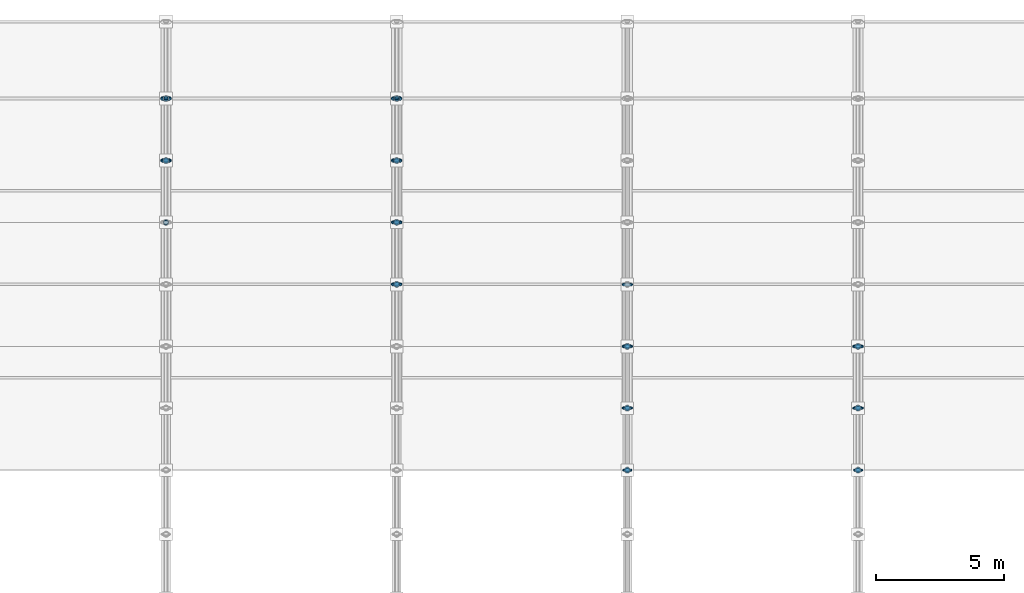
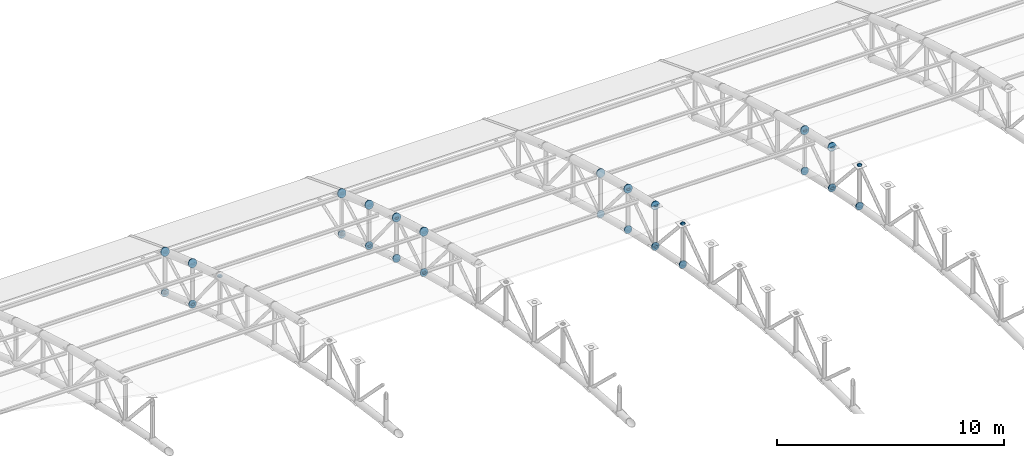
# One storey, part 159 of 195: 92 discrete accessories.
"""IFC4 building model written with IfcOpenShell, lengths in metres."""

from ifc_helpers import new_model, si_unit, direction, frame, origin, origin_2d, place, context, subcontext, project, spatial, circle, extrude, material, element, save


model = new_model("IFC4")

# Units and contexts
model_context = context("Model", 3, precision=1e-05, world=origin(), true_north=direction((0.0, 1.0)))
body_context = subcontext(model_context, "Body", "Model", "MODEL_VIEW")
ifc_project = project(units=[si_unit("LENGTHUNIT", "METRE"), si_unit("AREAUNIT", "SQUARE_METRE"), si_unit("VOLUMEUNIT", "CUBIC_METRE"), si_unit("PLANEANGLEUNIT", "RADIAN"), si_unit("MASSUNIT", "GRAM", prefix="KILO")], contexts=[model_context])

# Site, building, storey
site_placement = place(None, origin())
site = spatial("IfcSite", under=ifc_project, at=site_placement, CompositionType="ELEMENT")
building_placement = place(site_placement, origin())
building = spatial("IfcBuilding", under=site, at=building_placement, Name="Marlcrest Central Station", CompositionType="ELEMENT")
storey_placement = place(building_placement, frame((0.0, 0.0, 9.800048828125)))
storey = spatial("IfcBuildingStorey", under=building, at=storey_placement, Name="L02", CompositionType="ELEMENT", Elevation=9.800048828125)

# Discrete accessories
ifc_material = material(Name="Steel S355", Category="steel")
discrete_accessory_1_placement = place(storey_placement, frame((162.0, 93.056396484375, 2.45703125), z_axis=(0.0, 0.952116828449, -0.305734435391), x_axis=(-1.0, 0.0, 0.0)))
element("IfcDiscreteAccessory", 1, at=discrete_accessory_1_placement, inside=storey, material=ifc_material, Name="endcap-mem-AC-01-L02-01412-e", ObjectType="END_CAP_PLATE", PredefinedType="BRACKET", context=body_context, shape_type="SweptSolid", body=[
    extrude(circle(Radius=0.211181640625, at=origin_2d()), origin(), (0.0, 0.0, 1.0), 0.0400390625),
])
discrete_accessory_2_placement = place(storey_placement, frame((162.0, 93.056396484375, 0.257080078125), z_axis=(0.0, 0.952116828449, -0.305734435391), x_axis=(-1.0, 0.0, 0.0)))
element("IfcDiscreteAccessory", 2, at=discrete_accessory_2_placement, inside=storey, material=ifc_material, Name="endcap-mem-AC-02-L02-01413-e", ObjectType="END_CAP_PLATE", PredefinedType="BRACKET", context=body_context, shape_type="SweptSolid", body=[
    extrude(circle(Radius=0.185791015625, at=origin_2d()), origin(), (0.0, 0.0, 1.0), 0.0400390625),
])
discrete_accessory_3_placement = place(storey_placement, frame((162.0, 90.669921875, 3.198486328125), z_axis=(0.0, 0.0, 1.0), x_axis=(1.0, 0.0, 0.0)))
element("IfcDiscreteAccessory", 3, at=discrete_accessory_3_placement, inside=storey, material=ifc_material, Name="endcap-mem-AP-01-L02-01414-e", ObjectType="END_CAP_PLATE", PredefinedType="BRACKET", context=body_context, shape_type="SweptSolid", body=[
    extrude(circle(Radius=0.117431640625, at=origin_2d()), origin(), (0.0, 0.0, 1.0), 0.0400390625),
])
for number, where, z_axis, x_axis, name in (
    (4, (162.0, 90.660400390625, 3.235107421875), (0.0, 0.62962929743, -0.776895712318), (-1.0, 0.0, 0.0), "endcap-mem-AD-01-L02-01415-s"),
    (5, (162.0, 93.064453125, 0.26904296875), (0.0, 0.62962929743, -0.776895712318), (-1.0, 0.0, 0.0), "endcap-mem-AD-01-L02-01415-e"),
):
    element("IfcDiscreteAccessory", number, at=place(storey_placement, frame(where, z_axis=z_axis, x_axis=x_axis)), inside=storey, material=ifc_material, Name=name, ObjectType="END_CAP_PLATE", PredefinedType="BRACKET", context=body_context, shape_type="SweptSolid", body=[
        extrude(circle(Radius=0.092041015625, at=origin_2d()), origin(), (0.0, 0.0, 1.0), 0.0400390625),
    ])
for number, where, z_axis, x_axis, name in (
    (6, (162.0, 93.06591796875, 2.454345703125), (0.0, 0.94353735649, -0.331266142109), (-1.0, 0.0, 0.0), "endcap-mem-AC-01-L02-01416-s"),
    (7, (162.0, 95.476318359375, 1.608154296875), (0.0, 0.94353735649, -0.331266142109), (-1.0, 0.0, 0.0), "endcap-mem-AC-01-L02-01416-e"),
):
    element("IfcDiscreteAccessory", number, at=place(storey_placement, frame(where, z_axis=z_axis, x_axis=x_axis)), inside=storey, material=ifc_material, Name=name, ObjectType="END_CAP_PLATE", PredefinedType="BRACKET", context=body_context, shape_type="SweptSolid", body=[
        extrude(circle(Radius=0.211181640625, at=origin_2d()), origin(), (0.0, 0.0, 1.0), 0.0400390625),
    ])
for number, where, z_axis, x_axis, name in (
    (8, (162.0, 93.06591796875, 0.25439453125), (0.0, 0.94353735649, -0.331266142109), (-1.0, 0.0, 0.0), "endcap-mem-AC-02-L02-01417-s"),
    (9, (162.0, 95.476318359375, -0.591796875), (0.0, 0.94353735649, -0.331266142109), (-1.0, 0.0, 0.0), "endcap-mem-AC-02-L02-01417-e"),
):
    element("IfcDiscreteAccessory", number, at=place(storey_placement, frame(where, z_axis=z_axis, x_axis=x_axis)), inside=storey, material=ifc_material, Name=name, ObjectType="END_CAP_PLATE", PredefinedType="BRACKET", context=body_context, shape_type="SweptSolid", body=[
        extrude(circle(Radius=0.185791015625, at=origin_2d()), origin(), (0.0, 0.0, 1.0), 0.0400390625),
    ])
for number, where, z_axis, x_axis, name in (
    (10, (162.0, 93.080078125, 0.234619140625), (0.0, 0.0, 1.0), (1.0, 0.0, 0.0), "endcap-mem-AP-01-L02-01418-s"),
    (11, (162.0, 93.080078125, 2.424560546875), (0.0, 0.0, 1.0), (1.0, 0.0, 0.0), "endcap-mem-AP-01-L02-01418-e"),
):
    element("IfcDiscreteAccessory", number, at=place(storey_placement, frame(where, z_axis=z_axis, x_axis=x_axis)), inside=storey, material=ifc_material, Name=name, ObjectType="END_CAP_PLATE", PredefinedType="BRACKET", context=body_context, shape_type="SweptSolid", body=[
        extrude(circle(Radius=0.117431640625, at=origin_2d()), origin(), (0.0, 0.0, 1.0), 0.0400390625),
    ])
for number, where, z_axis, x_axis, name in (
    (12, (162.0, 93.06689453125, 0.2421875), (0.0, 0.873245653167, 0.487280236851), (-1.0, 0.0, 0.0), "endcap-mem-AD-01-L02-01419-s"),
    (13, (162.0, 95.478271484375, 1.587646484375), (0.0, 0.873245653167, 0.487280236851), (-1.0, 0.0, 0.0), "endcap-mem-AD-01-L02-01419-e"),
):
    element("IfcDiscreteAccessory", number, at=place(storey_placement, frame(where, z_axis=z_axis, x_axis=x_axis)), inside=storey, material=ifc_material, Name=name, ObjectType="END_CAP_PLATE", PredefinedType="BRACKET", context=body_context, shape_type="SweptSolid", body=[
        extrude(circle(Radius=0.092041015625, at=origin_2d()), origin(), (0.0, 0.0, 1.0), 0.0400390625),
    ])
discrete_accessory_4_placement = place(storey_placement, frame((162.0, 95.486083984375, 1.605224609375), z_axis=(0.0, 0.933324071143, -0.359035065453), x_axis=(-1.0, 0.0, 0.0)))
element("IfcDiscreteAccessory", 14, at=discrete_accessory_4_placement, inside=storey, material=ifc_material, Name="endcap-mem-AC-01-L02-01420-s", ObjectType="END_CAP_PLATE", PredefinedType="BRACKET", context=body_context, shape_type="SweptSolid", body=[
    extrude(circle(Radius=0.211181640625, at=origin_2d()), origin(), (0.0, 0.0, 1.0), 0.0400390625),
])
for number, where, z_axis, x_axis, name in (
    (15, (162.0, 95.5, -0.614990234375), (0.0, 0.0, 1.0), (1.0, 0.0, 0.0), "endcap-mem-AP-01-L02-01421-s"),
    (16, (162.0, 95.5, 1.574951171875), (0.0, 0.0, 1.0), (1.0, 0.0, 0.0), "endcap-mem-AP-01-L02-01421-e"),
):
    element("IfcDiscreteAccessory", number, at=place(storey_placement, frame(where, z_axis=z_axis, x_axis=x_axis)), inside=storey, material=ifc_material, Name=name, ObjectType="END_CAP_PLATE", PredefinedType="BRACKET", context=body_context, shape_type="SweptSolid", body=[
        extrude(circle(Radius=0.117431640625, at=origin_2d()), origin(), (0.0, 0.0, 1.0), 0.0400390625),
    ])
discrete_accessory_5_placement = place(storey_placement, frame((162.0, 95.48583984375, -0.60498046875), z_axis=(0.0, 0.944260188635, 0.329200085296), x_axis=(-1.0, 0.0, 0.0)))
element("IfcDiscreteAccessory", 17, at=discrete_accessory_5_placement, inside=storey, material=ifc_material, Name="endcap-mem-AD-01-L02-01422-s", ObjectType="END_CAP_PLATE", PredefinedType="BRACKET", context=body_context, shape_type="SweptSolid", body=[
    extrude(circle(Radius=0.092041015625, at=origin_2d()), origin(), (0.0, 0.0, 1.0), 0.0400390625),
])
discrete_accessory_6_placement = place(storey_placement, frame((171.0, 88.225830078125, 3.934326171875), z_axis=(0.0, 0.967539481681, -0.252719906989), x_axis=(-1.0, 0.0, 0.0)))
element("IfcDiscreteAccessory", 18, at=discrete_accessory_6_placement, inside=storey, material=ifc_material, Name="endcap-mem-AC-01-L02-01520-e", ObjectType="END_CAP_PLATE", PredefinedType="BRACKET", context=body_context, shape_type="SweptSolid", body=[
    extrude(circle(Radius=0.211181640625, at=origin_2d()), origin(), (0.0, 0.0, 1.0), 0.0400390625),
])
discrete_accessory_7_placement = place(storey_placement, frame((171.0, 88.225830078125, 1.734375), z_axis=(0.0, 0.967563345928, -0.252628524946), x_axis=(-1.0, 0.0, 0.0)))
element("IfcDiscreteAccessory", 19, at=discrete_accessory_7_placement, inside=storey, material=ifc_material, Name="endcap-mem-AC-02-L02-01521-e", ObjectType="END_CAP_PLATE", PredefinedType="BRACKET", context=body_context, shape_type="SweptSolid", body=[
    extrude(circle(Radius=0.185791015625, at=origin_2d()), origin(), (0.0, 0.0, 1.0), 0.0400390625),
])
discrete_accessory_8_placement = place(storey_placement, frame((171.0, 88.233642578125, 1.7470703125), z_axis=(0.0, 0.649624779144, -0.760254987699), x_axis=(-1.0, 0.0, 0.0)))
element("IfcDiscreteAccessory", 20, at=discrete_accessory_8_placement, inside=storey, material=ifc_material, Name="endcap-mem-AD-01-L02-01523-e", ObjectType="END_CAP_PLATE", PredefinedType="BRACKET", context=body_context, shape_type="SweptSolid", body=[
    extrude(circle(Radius=0.092041015625, at=origin_2d()), origin(), (0.0, 0.0, 1.0), 0.0400390625),
])
for number, where, z_axis, x_axis, name in (
    (21, (171.0, 88.235595703125, 3.93212890625), (0.0, 0.960130083362, -0.27955361386), (-1.0, 0.0, 0.0), "endcap-mem-AC-01-L02-01524-s"),
    (22, (171.0, 90.64599609375, 3.23046875), (0.0, 0.960130083362, -0.27955361386), (-1.0, 0.0, 0.0), "endcap-mem-AC-01-L02-01524-e"),
):
    element("IfcDiscreteAccessory", number, at=place(storey_placement, frame(where, z_axis=z_axis, x_axis=x_axis)), inside=storey, material=ifc_material, Name=name, ObjectType="END_CAP_PLATE", PredefinedType="BRACKET", context=body_context, shape_type="SweptSolid", body=[
        extrude(circle(Radius=0.211181640625, at=origin_2d()), origin(), (0.0, 0.0, 1.0), 0.0400390625),
    ])
for number, where, z_axis, x_axis, name in (
    (23, (171.0, 88.235595703125, 1.732177734375), (0.0, 0.960130083362, -0.27955361386), (-1.0, 0.0, 0.0), "endcap-mem-AC-02-L02-01525-s"),
    (24, (171.0, 90.64599609375, 1.030517578125), (0.0, 0.960130083362, -0.27955361386), (-1.0, 0.0, 0.0), "endcap-mem-AC-02-L02-01525-e"),
):
    element("IfcDiscreteAccessory", number, at=place(storey_placement, frame(where, z_axis=z_axis, x_axis=x_axis)), inside=storey, material=ifc_material, Name=name, ObjectType="END_CAP_PLATE", PredefinedType="BRACKET", context=body_context, shape_type="SweptSolid", body=[
        extrude(circle(Radius=0.185791015625, at=origin_2d()), origin(), (0.0, 0.0, 1.0), 0.0400390625),
    ])
for number, where, z_axis, x_axis, name in (
    (25, (171.0, 88.25, 1.713134765625), (0.0, 0.0, 1.0), (1.0, 0.0, 0.0), "endcap-mem-AP-01-L02-01526-s"),
    (26, (171.0, 88.25, 3.903076171875), (0.0, 0.0, 1.0), (1.0, 0.0, 0.0), "endcap-mem-AP-01-L02-01526-e"),
):
    element("IfcDiscreteAccessory", number, at=place(storey_placement, frame(where, z_axis=z_axis, x_axis=x_axis)), inside=storey, material=ifc_material, Name=name, ObjectType="END_CAP_PLATE", PredefinedType="BRACKET", context=body_context, shape_type="SweptSolid", body=[
        extrude(circle(Radius=0.117431640625, at=origin_2d()), origin(), (0.0, 0.0, 1.0), 0.0400390625),
    ])
for number, where, z_axis, x_axis, name in (
    (27, (171.0, 88.2373046875, 1.72021484375), (0.0, 0.850687380038, 0.525671933286), (-1.0, 0.0, 0.0), "endcap-mem-AD-01-L02-01527-s"),
    (28, (171.0, 90.648681640625, 3.210205078125), (0.0, 0.850687380038, 0.525671933286), (-1.0, 0.0, 0.0), "endcap-mem-AD-01-L02-01527-e"),
):
    element("IfcDiscreteAccessory", number, at=place(storey_placement, frame(where, z_axis=z_axis, x_axis=x_axis)), inside=storey, material=ifc_material, Name=name, ObjectType="END_CAP_PLATE", PredefinedType="BRACKET", context=body_context, shape_type="SweptSolid", body=[
        extrude(circle(Radius=0.092041015625, at=origin_2d()), origin(), (0.0, 0.0, 1.0), 0.0400390625),
    ])
for number, where, z_axis, x_axis, name in (
    (29, (171.0, 90.65576171875, 3.22802734375), (0.0, 0.952116828449, -0.305734435391), (-1.0, 0.0, 0.0), "endcap-mem-AC-01-L02-01528-s"),
    (30, (171.0, 93.056396484375, 2.45703125), (0.0, 0.952116828449, -0.305734435391), (-1.0, 0.0, 0.0), "endcap-mem-AC-01-L02-01528-e"),
):
    element("IfcDiscreteAccessory", number, at=place(storey_placement, frame(where, z_axis=z_axis, x_axis=x_axis)), inside=storey, material=ifc_material, Name=name, ObjectType="END_CAP_PLATE", PredefinedType="BRACKET", context=body_context, shape_type="SweptSolid", body=[
        extrude(circle(Radius=0.211181640625, at=origin_2d()), origin(), (0.0, 0.0, 1.0), 0.0400390625),
    ])
for number, where, z_axis, x_axis, name in (
    (31, (171.0, 90.65576171875, 1.028076171875), (0.0, 0.952116828449, -0.305734435391), (-1.0, 0.0, 0.0), "endcap-mem-AC-02-L02-01529-s"),
    (32, (171.0, 93.056396484375, 0.257080078125), (0.0, 0.952116828449, -0.305734435391), (-1.0, 0.0, 0.0), "endcap-mem-AC-02-L02-01529-e"),
):
    element("IfcDiscreteAccessory", number, at=place(storey_placement, frame(where, z_axis=z_axis, x_axis=x_axis)), inside=storey, material=ifc_material, Name=name, ObjectType="END_CAP_PLATE", PredefinedType="BRACKET", context=body_context, shape_type="SweptSolid", body=[
        extrude(circle(Radius=0.185791015625, at=origin_2d()), origin(), (0.0, 0.0, 1.0), 0.0400390625),
    ])
for number, where, z_axis, x_axis, name in (
    (33, (171.0, 90.669921875, 1.008544921875), (0.0, 0.0, 1.0), (1.0, 0.0, 0.0), "endcap-mem-AP-01-L02-01530-s"),
    (34, (171.0, 90.669921875, 3.198486328125), (0.0, 0.0, 1.0), (1.0, 0.0, 0.0), "endcap-mem-AP-01-L02-01530-e"),
):
    element("IfcDiscreteAccessory", number, at=place(storey_placement, frame(where, z_axis=z_axis, x_axis=x_axis)), inside=storey, material=ifc_material, Name=name, ObjectType="END_CAP_PLATE", PredefinedType="BRACKET", context=body_context, shape_type="SweptSolid", body=[
        extrude(circle(Radius=0.117431640625, at=origin_2d()), origin(), (0.0, 0.0, 1.0), 0.0400390625),
    ])
for number, where, z_axis, x_axis, name in (
    (35, (171.0, 90.660400390625, 3.235107421875), (0.0, 0.62962929743, -0.776895712318), (-1.0, 0.0, 0.0), "endcap-mem-AD-01-L02-01531-s"),
    (36, (171.0, 93.064453125, 0.26904296875), (0.0, 0.62962929743, -0.776895712318), (-1.0, 0.0, 0.0), "endcap-mem-AD-01-L02-01531-e"),
):
    element("IfcDiscreteAccessory", number, at=place(storey_placement, frame(where, z_axis=z_axis, x_axis=x_axis)), inside=storey, material=ifc_material, Name=name, ObjectType="END_CAP_PLATE", PredefinedType="BRACKET", context=body_context, shape_type="SweptSolid", body=[
        extrude(circle(Radius=0.092041015625, at=origin_2d()), origin(), (0.0, 0.0, 1.0), 0.0400390625),
    ])
for number, where, z_axis, x_axis, name in (
    (37, (171.0, 93.06591796875, 2.454345703125), (0.0, 0.94353735649, -0.331266142109), (-1.0, 0.0, 0.0), "endcap-mem-AC-01-L02-01532-s"),
    (38, (171.0, 95.476318359375, 1.608154296875), (0.0, 0.94353735649, -0.331266142109), (-1.0, 0.0, 0.0), "endcap-mem-AC-01-L02-01532-e"),
):
    element("IfcDiscreteAccessory", number, at=place(storey_placement, frame(where, z_axis=z_axis, x_axis=x_axis)), inside=storey, material=ifc_material, Name=name, ObjectType="END_CAP_PLATE", PredefinedType="BRACKET", context=body_context, shape_type="SweptSolid", body=[
        extrude(circle(Radius=0.211181640625, at=origin_2d()), origin(), (0.0, 0.0, 1.0), 0.0400390625),
    ])
for number, where, z_axis, x_axis, name in (
    (39, (171.0, 93.06591796875, 0.25439453125), (0.0, 0.94353735649, -0.331266142109), (-1.0, 0.0, 0.0), "endcap-mem-AC-02-L02-01533-s"),
    (40, (171.0, 95.476318359375, -0.591796875), (0.0, 0.94353735649, -0.331266142109), (-1.0, 0.0, 0.0), "endcap-mem-AC-02-L02-01533-e"),
):
    element("IfcDiscreteAccessory", number, at=place(storey_placement, frame(where, z_axis=z_axis, x_axis=x_axis)), inside=storey, material=ifc_material, Name=name, ObjectType="END_CAP_PLATE", PredefinedType="BRACKET", context=body_context, shape_type="SweptSolid", body=[
        extrude(circle(Radius=0.185791015625, at=origin_2d()), origin(), (0.0, 0.0, 1.0), 0.0400390625),
    ])
for number, where, z_axis, x_axis, name in (
    (41, (171.0, 93.080078125, 0.234619140625), (0.0, 0.0, 1.0), (1.0, 0.0, 0.0), "endcap-mem-AP-01-L02-01534-s"),
    (42, (171.0, 93.080078125, 2.424560546875), (0.0, 0.0, 1.0), (1.0, 0.0, 0.0), "endcap-mem-AP-01-L02-01534-e"),
):
    element("IfcDiscreteAccessory", number, at=place(storey_placement, frame(where, z_axis=z_axis, x_axis=x_axis)), inside=storey, material=ifc_material, Name=name, ObjectType="END_CAP_PLATE", PredefinedType="BRACKET", context=body_context, shape_type="SweptSolid", body=[
        extrude(circle(Radius=0.117431640625, at=origin_2d()), origin(), (0.0, 0.0, 1.0), 0.0400390625),
    ])
for number, where, z_axis, x_axis, name in (
    (43, (171.0, 93.06689453125, 0.2421875), (0.0, 0.873245653167, 0.487280236851), (-1.0, 0.0, 0.0), "endcap-mem-AD-01-L02-01535-s"),
    (44, (171.0, 95.478271484375, 1.587646484375), (0.0, 0.873245653167, 0.487280236851), (-1.0, 0.0, 0.0), "endcap-mem-AD-01-L02-01535-e"),
):
    element("IfcDiscreteAccessory", number, at=place(storey_placement, frame(where, z_axis=z_axis, x_axis=x_axis)), inside=storey, material=ifc_material, Name=name, ObjectType="END_CAP_PLATE", PredefinedType="BRACKET", context=body_context, shape_type="SweptSolid", body=[
        extrude(circle(Radius=0.092041015625, at=origin_2d()), origin(), (0.0, 0.0, 1.0), 0.0400390625),
    ])
discrete_accessory_9_placement = place(storey_placement, frame((171.0, 95.486083984375, 1.605224609375), z_axis=(0.0, 0.933324071143, -0.359035065453), x_axis=(-1.0, 0.0, 0.0)))
element("IfcDiscreteAccessory", 45, at=discrete_accessory_9_placement, inside=storey, material=ifc_material, Name="endcap-mem-AC-01-L02-01536-s", ObjectType="END_CAP_PLATE", PredefinedType="BRACKET", context=body_context, shape_type="SweptSolid", body=[
    extrude(circle(Radius=0.211181640625, at=origin_2d()), origin(), (0.0, 0.0, 1.0), 0.0400390625),
])
for number, where, z_axis, x_axis, name in (
    (46, (171.0, 95.5, -0.614990234375), (0.0, 0.0, 1.0), (1.0, 0.0, 0.0), "endcap-mem-AP-01-L02-01537-s"),
    (47, (171.0, 95.5, 1.574951171875), (0.0, 0.0, 1.0), (1.0, 0.0, 0.0), "endcap-mem-AP-01-L02-01537-e"),
):
    element("IfcDiscreteAccessory", number, at=place(storey_placement, frame(where, z_axis=z_axis, x_axis=x_axis)), inside=storey, material=ifc_material, Name=name, ObjectType="END_CAP_PLATE", PredefinedType="BRACKET", context=body_context, shape_type="SweptSolid", body=[
        extrude(circle(Radius=0.117431640625, at=origin_2d()), origin(), (0.0, 0.0, 1.0), 0.0400390625),
    ])
discrete_accessory_10_placement = place(storey_placement, frame((171.0, 95.48583984375, -0.60498046875), z_axis=(0.0, 0.944260188635, 0.329200085296), x_axis=(-1.0, 0.0, 0.0)))
element("IfcDiscreteAccessory", 48, at=discrete_accessory_10_placement, inside=storey, material=ifc_material, Name="endcap-mem-AD-01-L02-01538-s", ObjectType="END_CAP_PLATE", PredefinedType="BRACKET", context=body_context, shape_type="SweptSolid", body=[
    extrude(circle(Radius=0.092041015625, at=origin_2d()), origin(), (0.0, 0.0, 1.0), 0.0400390625),
])
discrete_accessory_11_placement = place(storey_placement, frame((180.0, 80.975341796875, 3.407958984375), z_axis=(0.0, 0.98574109921, -0.168269086076), x_axis=(-1.0, 0.0, 0.0)))
element("IfcDiscreteAccessory", 49, at=discrete_accessory_11_placement, inside=storey, material=ifc_material, Name="endcap-mem-AC-02-L02-01625-e", ObjectType="END_CAP_PLATE", PredefinedType="BRACKET", context=body_context, shape_type="SweptSolid", body=[
    extrude(circle(Radius=0.185791015625, at=origin_2d()), origin(), (0.0, 0.0, 1.0), 0.0400390625),
])
discrete_accessory_12_placement = place(storey_placement, frame((180.0, 80.9794921875, 5.58935546875), z_axis=(0.0, 0.815661132754, 0.57852996164), x_axis=(-1.0, 0.0, 0.0)))
element("IfcDiscreteAccessory", 50, at=discrete_accessory_12_placement, inside=storey, material=ifc_material, Name="endcap-mem-AD-01-L02-01627-e", ObjectType="END_CAP_PLATE", PredefinedType="BRACKET", context=body_context, shape_type="SweptSolid", body=[
    extrude(circle(Radius=0.092041015625, at=origin_2d()), origin(), (0.0, 0.0, 1.0), 0.0400390625),
])
for number, where, z_axis, x_axis, name in (
    (51, (180.0, 80.9853515625, 3.40673828125), (0.0, 0.980359417961, -0.197219196874), (-1.0, 0.0, 0.0), "endcap-mem-AC-02-L02-01629-s"),
    (52, (180.0, 83.3955078125, 2.921875), (0.0, 0.980359417961, -0.197219196874), (-1.0, 0.0, 0.0), "endcap-mem-AC-02-L02-01629-e"),
):
    element("IfcDiscreteAccessory", number, at=place(storey_placement, frame(where, z_axis=z_axis, x_axis=x_axis)), inside=storey, material=ifc_material, Name=name, ObjectType="END_CAP_PLATE", PredefinedType="BRACKET", context=body_context, shape_type="SweptSolid", body=[
        extrude(circle(Radius=0.185791015625, at=origin_2d()), origin(), (0.0, 0.0, 1.0), 0.0400390625),
    ])
for number, where, z_axis, x_axis, name in (
    (53, (180.0, 81.0, 3.388916015625), (0.0, 0.0, 1.0), (1.0, 0.0, 0.0), "endcap-mem-AP-01-L02-01630-s"),
    (54, (180.0, 81.0, 5.578857421875), (0.0, 0.0, 1.0), (1.0, 0.0, 0.0), "endcap-mem-AP-01-L02-01630-e"),
):
    element("IfcDiscreteAccessory", number, at=place(storey_placement, frame(where, z_axis=z_axis, x_axis=x_axis)), inside=storey, material=ifc_material, Name=name, ObjectType="END_CAP_PLATE", PredefinedType="BRACKET", context=body_context, shape_type="SweptSolid", body=[
        extrude(circle(Radius=0.117431640625, at=origin_2d()), origin(), (0.0, 0.0, 1.0), 0.0400390625),
    ])
for number, where, z_axis, x_axis, name in (
    (55, (180.0, 80.989990234375, 5.614990234375), (0.0, 0.669244457479, -0.743042297675), (-1.0, 0.0, 0.0), "endcap-mem-AD-01-L02-01631-s"),
    (56, (180.0, 83.403076171875, 2.935546875), (0.0, 0.669244457479, -0.743042297675), (-1.0, 0.0, 0.0), "endcap-mem-AD-01-L02-01631-e"),
):
    element("IfcDiscreteAccessory", number, at=place(storey_placement, frame(where, z_axis=z_axis, x_axis=x_axis)), inside=storey, material=ifc_material, Name=name, ObjectType="END_CAP_PLATE", PredefinedType="BRACKET", context=body_context, shape_type="SweptSolid", body=[
        extrude(circle(Radius=0.092041015625, at=origin_2d()), origin(), (0.0, 0.0, 1.0), 0.0400390625),
    ])
for number, where, z_axis, x_axis, name in (
    (57, (180.0, 83.4052734375, 5.120361328125), (0.0, 0.974329612642, -0.225126200004), (-1.0, 0.0, 0.0), "endcap-mem-AC-01-L02-01632-s"),
    (58, (180.0, 85.8056640625, 4.565673828125), (0.0, 0.974329612642, -0.225126200004), (-1.0, 0.0, 0.0), "endcap-mem-AC-01-L02-01632-e"),
):
    element("IfcDiscreteAccessory", number, at=place(storey_placement, frame(where, z_axis=z_axis, x_axis=x_axis)), inside=storey, material=ifc_material, Name=name, ObjectType="END_CAP_PLATE", PredefinedType="BRACKET", context=body_context, shape_type="SweptSolid", body=[
        extrude(circle(Radius=0.211181640625, at=origin_2d()), origin(), (0.0, 0.0, 1.0), 0.0400390625),
    ])
for number, where, z_axis, x_axis, name in (
    (59, (180.0, 83.4052734375, 2.92041015625), (0.0, 0.974307959875, -0.225219891049), (-1.0, 0.0, 0.0), "endcap-mem-AC-02-L02-01633-s"),
    (60, (180.0, 85.8056640625, 2.365478515625), (0.0, 0.974307959875, -0.225219891049), (-1.0, 0.0, 0.0), "endcap-mem-AC-02-L02-01633-e"),
):
    element("IfcDiscreteAccessory", number, at=place(storey_placement, frame(where, z_axis=z_axis, x_axis=x_axis)), inside=storey, material=ifc_material, Name=name, ObjectType="END_CAP_PLATE", PredefinedType="BRACKET", context=body_context, shape_type="SweptSolid", body=[
        extrude(circle(Radius=0.185791015625, at=origin_2d()), origin(), (0.0, 0.0, 1.0), 0.0400390625),
    ])
for number, where, z_axis, x_axis, name in (
    (61, (180.0, 83.419921875, 2.902099609375), (0.0, 0.0, 1.0), (1.0, 0.0, 0.0), "endcap-mem-AP-01-L02-01634-s"),
    (62, (180.0, 83.419921875, 5.092041015625), (0.0, 0.0, 1.0), (1.0, 0.0, 0.0), "endcap-mem-AP-01-L02-01634-e"),
):
    element("IfcDiscreteAccessory", number, at=place(storey_placement, frame(where, z_axis=z_axis, x_axis=x_axis)), inside=storey, material=ifc_material, Name=name, ObjectType="END_CAP_PLATE", PredefinedType="BRACKET", context=body_context, shape_type="SweptSolid", body=[
        extrude(circle(Radius=0.117431640625, at=origin_2d()), origin(), (0.0, 0.0, 1.0), 0.0400390625),
    ])
for number, where, z_axis, x_axis, name in (
    (63, (180.0, 83.407470703125, 2.908447265625), (0.0, 0.82626275624, 0.563284881432), (-1.0, 0.0, 0.0), "endcap-mem-AD-01-L02-01635-s"),
    (64, (180.0, 85.809326171875, 4.5458984375), (0.0, 0.82626275624, 0.563284881432), (-1.0, 0.0, 0.0), "endcap-mem-AD-01-L02-01635-e"),
):
    element("IfcDiscreteAccessory", number, at=place(storey_placement, frame(where, z_axis=z_axis, x_axis=x_axis)), inside=storey, material=ifc_material, Name=name, ObjectType="END_CAP_PLATE", PredefinedType="BRACKET", context=body_context, shape_type="SweptSolid", body=[
        extrude(circle(Radius=0.092041015625, at=origin_2d()), origin(), (0.0, 0.0, 1.0), 0.0400390625),
    ])
for number, where, z_axis, x_axis, name in (
    (65, (180.0, 85.815673828125, 4.56396484375), (0.0, 0.967539481681, -0.252719906989), (-1.0, 0.0, 0.0), "endcap-mem-AC-01-L02-01636-s"),
    (66, (180.0, 88.225830078125, 3.934326171875), (0.0, 0.967539481681, -0.252719906989), (-1.0, 0.0, 0.0), "endcap-mem-AC-01-L02-01636-e"),
):
    element("IfcDiscreteAccessory", number, at=place(storey_placement, frame(where, z_axis=z_axis, x_axis=x_axis)), inside=storey, material=ifc_material, Name=name, ObjectType="END_CAP_PLATE", PredefinedType="BRACKET", context=body_context, shape_type="SweptSolid", body=[
        extrude(circle(Radius=0.211181640625, at=origin_2d()), origin(), (0.0, 0.0, 1.0), 0.0400390625),
    ])
for number, where, z_axis, x_axis, name in (
    (67, (180.0, 85.815673828125, 2.36376953125), (0.0, 0.967563345928, -0.252628524946), (-1.0, 0.0, 0.0), "endcap-mem-AC-02-L02-01637-s"),
    (68, (180.0, 88.225830078125, 1.734375), (0.0, 0.967563345928, -0.252628524946), (-1.0, 0.0, 0.0), "endcap-mem-AC-02-L02-01637-e"),
):
    element("IfcDiscreteAccessory", number, at=place(storey_placement, frame(where, z_axis=z_axis, x_axis=x_axis)), inside=storey, material=ifc_material, Name=name, ObjectType="END_CAP_PLATE", PredefinedType="BRACKET", context=body_context, shape_type="SweptSolid", body=[
        extrude(circle(Radius=0.185791015625, at=origin_2d()), origin(), (0.0, 0.0, 1.0), 0.0400390625),
    ])
for number, where, z_axis, x_axis, name in (
    (69, (180.0, 85.830078125, 2.344970703125), (0.0, 0.0, 1.0), (1.0, 0.0, 0.0), "endcap-mem-AP-01-L02-01638-s"),
    (70, (180.0, 85.830078125, 4.53515625), (0.0, 0.0, 1.0), (1.0, 0.0, 0.0), "endcap-mem-AP-01-L02-01638-e"),
):
    element("IfcDiscreteAccessory", number, at=place(storey_placement, frame(where, z_axis=z_axis, x_axis=x_axis)), inside=storey, material=ifc_material, Name=name, ObjectType="END_CAP_PLATE", PredefinedType="BRACKET", context=body_context, shape_type="SweptSolid", body=[
        extrude(circle(Radius=0.117431640625, at=origin_2d()), origin(), (0.0, 0.0, 1.0), 0.0400390625),
    ])
discrete_accessory_13_placement = place(storey_placement, frame((180.0, 85.8203125, 4.571533203125), z_axis=(0.0, 0.649624779144, -0.760254987699), x_axis=(-1.0, 0.0, 0.0)))
element("IfcDiscreteAccessory", 71, at=discrete_accessory_13_placement, inside=storey, material=ifc_material, Name="endcap-mem-AD-01-L02-01639-s", ObjectType="END_CAP_PLATE", PredefinedType="BRACKET", context=body_context, shape_type="SweptSolid", body=[
    extrude(circle(Radius=0.092041015625, at=origin_2d()), origin(), (0.0, 0.0, 1.0), 0.0400390625),
])
discrete_accessory_14_placement = place(storey_placement, frame((189.0, 80.975341796875, 3.407958984375), z_axis=(0.0, 0.98574109921, -0.168269086076), x_axis=(-1.0, 0.0, 0.0)))
element("IfcDiscreteAccessory", 72, at=discrete_accessory_14_placement, inside=storey, material=ifc_material, Name="endcap-mem-AC-02-L02-01741-e", ObjectType="END_CAP_PLATE", PredefinedType="BRACKET", context=body_context, shape_type="SweptSolid", body=[
    extrude(circle(Radius=0.185791015625, at=origin_2d()), origin(), (0.0, 0.0, 1.0), 0.0400390625),
])
discrete_accessory_15_placement = place(storey_placement, frame((189.0, 80.9794921875, 5.58935546875), z_axis=(0.0, 0.815661132754, 0.57852996164), x_axis=(-1.0, 0.0, 0.0)))
element("IfcDiscreteAccessory", 73, at=discrete_accessory_15_placement, inside=storey, material=ifc_material, Name="endcap-mem-AD-01-L02-01743-e", ObjectType="END_CAP_PLATE", PredefinedType="BRACKET", context=body_context, shape_type="SweptSolid", body=[
    extrude(circle(Radius=0.092041015625, at=origin_2d()), origin(), (0.0, 0.0, 1.0), 0.0400390625),
])
for number, where, z_axis, x_axis, name in (
    (74, (189.0, 80.9853515625, 3.40673828125), (0.0, 0.980359417961, -0.197219196874), (-1.0, 0.0, 0.0), "endcap-mem-AC-02-L02-01745-s"),
    (75, (189.0, 83.3955078125, 2.921875), (0.0, 0.980359417961, -0.197219196874), (-1.0, 0.0, 0.0), "endcap-mem-AC-02-L02-01745-e"),
):
    element("IfcDiscreteAccessory", number, at=place(storey_placement, frame(where, z_axis=z_axis, x_axis=x_axis)), inside=storey, material=ifc_material, Name=name, ObjectType="END_CAP_PLATE", PredefinedType="BRACKET", context=body_context, shape_type="SweptSolid", body=[
        extrude(circle(Radius=0.185791015625, at=origin_2d()), origin(), (0.0, 0.0, 1.0), 0.0400390625),
    ])
for number, where, z_axis, x_axis, name in (
    (76, (189.0, 81.0, 3.388916015625), (0.0, 0.0, 1.0), (1.0, 0.0, 0.0), "endcap-mem-AP-01-L02-01746-s"),
    (77, (189.0, 81.0, 5.578857421875), (0.0, 0.0, 1.0), (1.0, 0.0, 0.0), "endcap-mem-AP-01-L02-01746-e"),
):
    element("IfcDiscreteAccessory", number, at=place(storey_placement, frame(where, z_axis=z_axis, x_axis=x_axis)), inside=storey, material=ifc_material, Name=name, ObjectType="END_CAP_PLATE", PredefinedType="BRACKET", context=body_context, shape_type="SweptSolid", body=[
        extrude(circle(Radius=0.117431640625, at=origin_2d()), origin(), (0.0, 0.0, 1.0), 0.0400390625),
    ])
for number, where, z_axis, x_axis, name in (
    (78, (189.0, 80.989990234375, 5.614990234375), (0.0, 0.669244457479, -0.743042297675), (-1.0, 0.0, 0.0), "endcap-mem-AD-01-L02-01747-s"),
    (79, (189.0, 83.403076171875, 2.935546875), (0.0, 0.669244457479, -0.743042297675), (-1.0, 0.0, 0.0), "endcap-mem-AD-01-L02-01747-e"),
):
    element("IfcDiscreteAccessory", number, at=place(storey_placement, frame(where, z_axis=z_axis, x_axis=x_axis)), inside=storey, material=ifc_material, Name=name, ObjectType="END_CAP_PLATE", PredefinedType="BRACKET", context=body_context, shape_type="SweptSolid", body=[
        extrude(circle(Radius=0.092041015625, at=origin_2d()), origin(), (0.0, 0.0, 1.0), 0.0400390625),
    ])
for number, where, z_axis, x_axis, name in (
    (80, (189.0, 83.4052734375, 5.120361328125), (0.0, 0.974329612642, -0.225126200004), (-1.0, 0.0, 0.0), "endcap-mem-AC-01-L02-01748-s"),
    (81, (189.0, 85.8056640625, 4.565673828125), (0.0, 0.974329612642, -0.225126200004), (-1.0, 0.0, 0.0), "endcap-mem-AC-01-L02-01748-e"),
):
    element("IfcDiscreteAccessory", number, at=place(storey_placement, frame(where, z_axis=z_axis, x_axis=x_axis)), inside=storey, material=ifc_material, Name=name, ObjectType="END_CAP_PLATE", PredefinedType="BRACKET", context=body_context, shape_type="SweptSolid", body=[
        extrude(circle(Radius=0.211181640625, at=origin_2d()), origin(), (0.0, 0.0, 1.0), 0.0400390625),
    ])
for number, where, z_axis, x_axis, name in (
    (82, (189.0, 83.4052734375, 2.92041015625), (0.0, 0.974307959875, -0.225219891049), (-1.0, 0.0, 0.0), "endcap-mem-AC-02-L02-01749-s"),
    (83, (189.0, 85.8056640625, 2.365478515625), (0.0, 0.974307959875, -0.225219891049), (-1.0, 0.0, 0.0), "endcap-mem-AC-02-L02-01749-e"),
):
    element("IfcDiscreteAccessory", number, at=place(storey_placement, frame(where, z_axis=z_axis, x_axis=x_axis)), inside=storey, material=ifc_material, Name=name, ObjectType="END_CAP_PLATE", PredefinedType="BRACKET", context=body_context, shape_type="SweptSolid", body=[
        extrude(circle(Radius=0.185791015625, at=origin_2d()), origin(), (0.0, 0.0, 1.0), 0.0400390625),
    ])
for number, where, z_axis, x_axis, name in (
    (84, (189.0, 83.419921875, 2.902099609375), (0.0, 0.0, 1.0), (1.0, 0.0, 0.0), "endcap-mem-AP-01-L02-01750-s"),
    (85, (189.0, 83.419921875, 5.092041015625), (0.0, 0.0, 1.0), (1.0, 0.0, 0.0), "endcap-mem-AP-01-L02-01750-e"),
):
    element("IfcDiscreteAccessory", number, at=place(storey_placement, frame(where, z_axis=z_axis, x_axis=x_axis)), inside=storey, material=ifc_material, Name=name, ObjectType="END_CAP_PLATE", PredefinedType="BRACKET", context=body_context, shape_type="SweptSolid", body=[
        extrude(circle(Radius=0.117431640625, at=origin_2d()), origin(), (0.0, 0.0, 1.0), 0.0400390625),
    ])
for number, where, z_axis, x_axis, name in (
    (86, (189.0, 83.407470703125, 2.908447265625), (0.0, 0.82626275624, 0.563284881432), (-1.0, 0.0, 0.0), "endcap-mem-AD-01-L02-01751-s"),
    (87, (189.0, 85.809326171875, 4.5458984375), (0.0, 0.82626275624, 0.563284881432), (-1.0, 0.0, 0.0), "endcap-mem-AD-01-L02-01751-e"),
):
    element("IfcDiscreteAccessory", number, at=place(storey_placement, frame(where, z_axis=z_axis, x_axis=x_axis)), inside=storey, material=ifc_material, Name=name, ObjectType="END_CAP_PLATE", PredefinedType="BRACKET", context=body_context, shape_type="SweptSolid", body=[
        extrude(circle(Radius=0.092041015625, at=origin_2d()), origin(), (0.0, 0.0, 1.0), 0.0400390625),
    ])
discrete_accessory_16_placement = place(storey_placement, frame((189.0, 85.815673828125, 4.56396484375), z_axis=(0.0, 0.967539481681, -0.252719906989), x_axis=(-1.0, 0.0, 0.0)))
element("IfcDiscreteAccessory", 88, at=discrete_accessory_16_placement, inside=storey, material=ifc_material, Name="endcap-mem-AC-01-L02-01752-s", ObjectType="END_CAP_PLATE", PredefinedType="BRACKET", context=body_context, shape_type="SweptSolid", body=[
    extrude(circle(Radius=0.211181640625, at=origin_2d()), origin(), (0.0, 0.0, 1.0), 0.0400390625),
])
discrete_accessory_17_placement = place(storey_placement, frame((189.0, 85.815673828125, 2.36376953125), z_axis=(0.0, 0.967563345928, -0.252628524946), x_axis=(-1.0, 0.0, 0.0)))
element("IfcDiscreteAccessory", 89, at=discrete_accessory_17_placement, inside=storey, material=ifc_material, Name="endcap-mem-AC-02-L02-01753-s", ObjectType="END_CAP_PLATE", PredefinedType="BRACKET", context=body_context, shape_type="SweptSolid", body=[
    extrude(circle(Radius=0.185791015625, at=origin_2d()), origin(), (0.0, 0.0, 1.0), 0.0400390625),
])
for number, where, z_axis, x_axis, name in (
    (90, (189.0, 85.830078125, 2.344970703125), (0.0, 0.0, 1.0), (1.0, 0.0, 0.0), "endcap-mem-AP-01-L02-01754-s"),
    (91, (189.0, 85.830078125, 4.53515625), (0.0, 0.0, 1.0), (1.0, 0.0, 0.0), "endcap-mem-AP-01-L02-01754-e"),
):
    element("IfcDiscreteAccessory", number, at=place(storey_placement, frame(where, z_axis=z_axis, x_axis=x_axis)), inside=storey, material=ifc_material, Name=name, ObjectType="END_CAP_PLATE", PredefinedType="BRACKET", context=body_context, shape_type="SweptSolid", body=[
        extrude(circle(Radius=0.117431640625, at=origin_2d()), origin(), (0.0, 0.0, 1.0), 0.0400390625),
    ])
discrete_accessory_18_placement = place(storey_placement, frame((189.0, 85.8203125, 4.571533203125), z_axis=(0.0, 0.649624779144, -0.760254987699), x_axis=(-1.0, 0.0, 0.0)))
element("IfcDiscreteAccessory", 92, at=discrete_accessory_18_placement, inside=storey, material=ifc_material, Name="endcap-mem-AD-01-L02-01755-s", ObjectType="END_CAP_PLATE", PredefinedType="BRACKET", context=body_context, shape_type="SweptSolid", body=[
    extrude(circle(Radius=0.092041015625, at=origin_2d()), origin(), (0.0, 0.0, 1.0), 0.0400390625),
])

save(model, "model.ifc")
